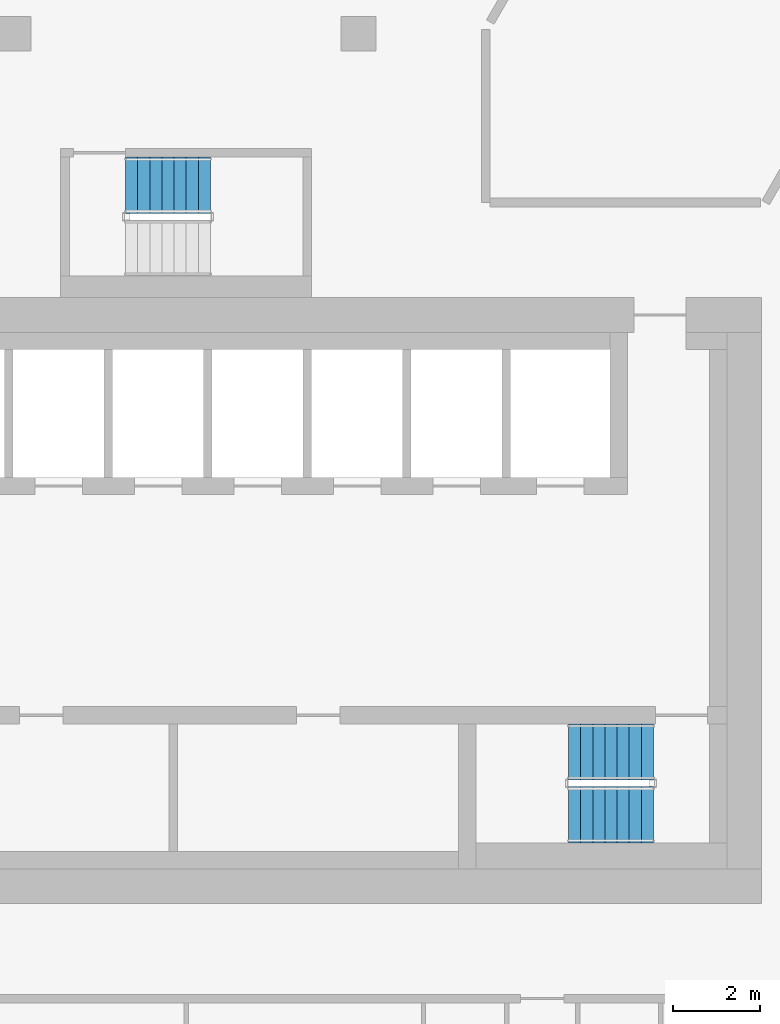
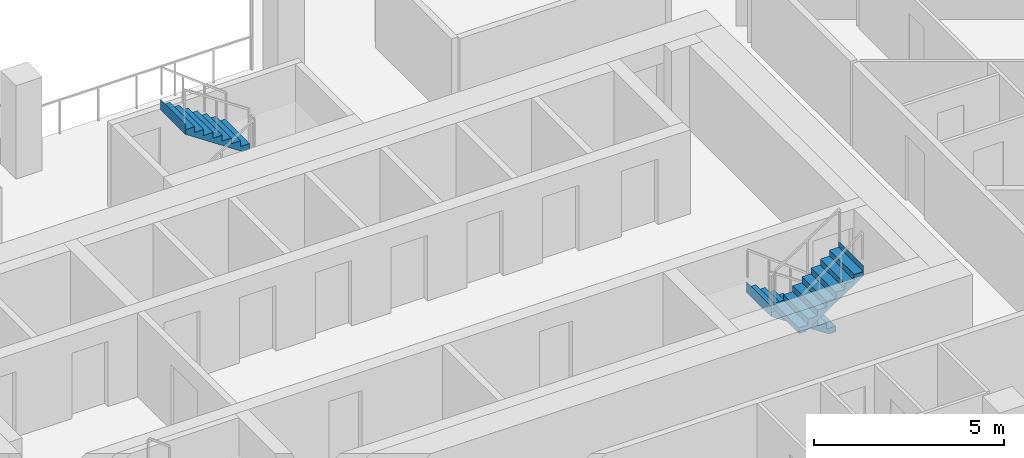
# One storey, part 13 of 17: 3 stair flights, 2 elements without a shape of their own.
"""IFC4 building model written with IfcOpenShell, lengths in metres."""

from ifc_helpers import new_model, si_unit, direction, frame, origin, place, context, subcontext, project, spatial, triangles, material, type_object, element, aggregate, save


model = new_model("IFC4")

# Units and contexts
model_context = context("Model", 3, precision=1e-05, world=origin(), true_north=direction((0.0, 1.0)))
body_context = subcontext(model_context, "Body", "Model", "MODEL_VIEW")
ifc_project = project(units=[si_unit("LENGTHUNIT", "METRE"), si_unit("AREAUNIT", "SQUARE_METRE"), si_unit("VOLUMEUNIT", "CUBIC_METRE"), si_unit("PLANEANGLEUNIT", "RADIAN"), si_unit("MASSUNIT", "GRAM", prefix="KILO")], contexts=[model_context])

# Site, building, storey
site_placement = place(None, origin())
site = spatial("IfcSite", under=ifc_project, at=site_placement, CompositionType="ELEMENT")
building_placement = place(site_placement, origin())
building = spatial("IfcBuilding", under=site, at=building_placement, Name="Beryl Residences", CompositionType="ELEMENT")
storey_placement = place(building_placement, frame((0.0, 0.0, 144.60009765625)))
storey = spatial("IfcBuildingStorey", under=building, at=storey_placement, Name="L44", CompositionType="ELEMENT", Elevation=144.60009765625)

# Stair, stair flights
ifc_material_1 = material(Name="Concrete C40/50", Category="concrete")
stair_type = type_object("IfcStairType", Name="ST1 protected exit stair, half-turn, 1300 mm flights", PredefinedType="HALF_TURN_STAIR", material=ifc_material_1)
stair_1_placement = place(storey_placement, origin())
stair_1 = element("IfcStair", 1, at=stair_1_placement, inside=storey, type_object=stair_type, Name="L44 PROTECTED EXIT STAIR ST-3", PredefinedType="HALF_TURN_STAIR")
ifc_material_2 = material(Name="Concrete C40/50", Category="concrete")
stair_flight_type = type_object("IfcStairFlightType", Name="SF1 stair flight 1300 mm", PredefinedType="STRAIGHT", material=ifc_material_2)
stair_flight_1_placement = place(storey_placement, frame((10.800048828125, -15.5, 0.0), z_axis=(0.0, 0.0, 1.0), x_axis=(-1.0, 0.0, 0.0)))
stair_flight_1 = element("IfcStairFlight", 2, at=stair_flight_1_placement, type_object=stair_flight_type, Name="ST-3 flight 1", NumberOfRisers=8, NumberOfTreads=7, PredefinedType="STRAIGHT", RiserHeight=0.1875, TreadLength=0.28, context=body_context, shape_type="Tessellation", body=[
    triangles([(0.0, -0.64990234375, 0.0), (0.0, -0.324951171875, 0.0), (0.0, 0.0, 0.0), (0.0, 0.324951171875, 0.0), (0.0, 0.64990234375, 0.0), (0.0, -0.64990234375, 0.1875), (0.0, -0.324951171875, 0.1875), (0.0, 0.0, 0.1875), (0.0, 0.324951171875, 0.1875), (0.0, 0.64990234375, 0.1875), (0.280029296875, -0.64990234375, 0.1875), (0.280029296875, -0.324951171875, 0.1875), (0.280029296875, 0.0, 0.1875), (0.280029296875, 0.324951171875, 0.1875), (0.280029296875, 0.64990234375, 0.1875), (0.280029296875, -0.64990234375, 0.375), (0.280029296875, -0.324951171875, 0.375), (0.280029296875, 0.0, 0.375), (0.280029296875, 0.324951171875, 0.375), (0.280029296875, 0.64990234375, 0.375), (0.56005859375, -0.64990234375, 0.375), (0.56005859375, -0.324951171875, 0.375), (0.56005859375, 0.0, 0.375), (0.56005859375, 0.324951171875, 0.375), (0.56005859375, 0.64990234375, 0.375), (0.56005859375, -0.64990234375, 0.5625), (0.56005859375, -0.324951171875, 0.5625), (0.56005859375, 0.0, 0.5625), (0.56005859375, 0.324951171875, 0.5625), (0.56005859375, 0.64990234375, 0.5625), (0.840087890625, -0.64990234375, 0.5625), (0.840087890625, -0.324951171875, 0.5625), (0.840087890625, 0.0, 0.5625), (0.840087890625, 0.324951171875, 0.5625), (0.840087890625, 0.64990234375, 0.5625), (0.840087890625, -0.64990234375, 0.75), (0.840087890625, -0.324951171875, 0.75), (0.840087890625, 0.0, 0.75), (0.840087890625, 0.324951171875, 0.75), (0.840087890625, 0.64990234375, 0.75), (1.1201171875, -0.64990234375, 0.75), (1.1201171875, -0.324951171875, 0.75), (1.1201171875, 0.0, 0.75), (1.1201171875, 0.324951171875, 0.75), (1.1201171875, 0.64990234375, 0.75), (1.1201171875, -0.64990234375, 0.9375), (1.1201171875, -0.324951171875, 0.9375), (1.1201171875, 0.0, 0.9375), (1.1201171875, 0.324951171875, 0.9375), (1.1201171875, 0.64990234375, 0.9375), (1.39990234375, -0.64990234375, 0.9375), (1.39990234375, -0.324951171875, 0.9375), (1.39990234375, 0.0, 0.9375), (1.39990234375, 0.324951171875, 0.9375), (1.39990234375, 0.64990234375, 0.9375), (1.39990234375, -0.64990234375, 1.125), (1.39990234375, -0.324951171875, 1.125), (1.39990234375, 0.0, 1.125), (1.39990234375, 0.324951171875, 1.125), (1.39990234375, 0.64990234375, 1.125), (1.679931640625, -0.64990234375, 1.125), (1.679931640625, -0.324951171875, 1.125), (1.679931640625, 0.0, 1.125), (1.679931640625, 0.324951171875, 1.125), (1.679931640625, 0.64990234375, 1.125), (1.679931640625, -0.64990234375, 1.3125), (1.679931640625, -0.324951171875, 1.3125), (1.679931640625, 0.0, 1.3125), (1.679931640625, 0.324951171875, 1.3125), (1.679931640625, 0.64990234375, 1.3125), (1.9599609375, -0.64990234375, 1.3125), (1.9599609375, -0.324951171875, 1.3125), (1.9599609375, 0.0, 1.3125), (1.9599609375, 0.324951171875, 1.3125), (1.9599609375, 0.64990234375, 1.3125), (1.9599609375, -0.64990234375, 1.5), (1.9599609375, -0.324951171875, 1.5), (1.9599609375, 0.0, 1.5), (1.9599609375, 0.324951171875, 1.5), (1.9599609375, 0.64990234375, 1.5), (1.9609375, -0.64990234375, 1.5), (1.9609375, -0.324951171875, 1.5), (1.9609375, 0.0, 1.5), (1.9609375, 0.324951171875, 1.5), (1.9609375, 0.64990234375, 1.5), (1.9609375, -0.64990234375, 1.16796875), (1.9609375, -0.324951171875, 1.16796875), (1.9609375, 0.0, 1.16796875), (1.9609375, 0.324951171875, 1.16796875), (1.9609375, 0.64990234375, 1.16796875), (0.216796875, -0.64990234375, 0.0), (0.216796875, -0.324951171875, 0.0), (0.216796875, 0.0, 0.0), (0.216796875, 0.324951171875, 0.0), (0.216796875, 0.64990234375, 0.0)], [[1, 6, 7], [1, 7, 2], [2, 7, 8], [2, 8, 3], [3, 8, 9], [3, 9, 4], [4, 9, 10], [4, 10, 5], [6, 11, 12], [6, 12, 7], [7, 12, 13], [7, 13, 8], [8, 13, 14], [8, 14, 9], [9, 14, 15], [9, 15, 10], [11, 16, 17], [11, 17, 12], [12, 17, 18], [12, 18, 13], [13, 18, 19], [13, 19, 14], [14, 19, 20], [14, 20, 15], [16, 21, 22], [16, 22, 17], [17, 22, 23], [17, 23, 18], [18, 23, 24], [18, 24, 19], [19, 24, 25], [19, 25, 20], [21, 26, 27], [21, 27, 22], [22, 27, 28], [22, 28, 23], [23, 28, 29], [23, 29, 24], [24, 29, 30], [24, 30, 25], [26, 31, 32], [26, 32, 27], [27, 32, 33], [27, 33, 28], [28, 33, 34], [28, 34, 29], [29, 34, 35], [29, 35, 30], [31, 36, 37], [31, 37, 32], [32, 37, 38], [32, 38, 33], [33, 38, 39], [33, 39, 34], [34, 39, 40], [34, 40, 35], [36, 41, 42], [36, 42, 37], [37, 42, 43], [37, 43, 38], [38, 43, 44], [38, 44, 39], [39, 44, 45], [39, 45, 40], [41, 46, 47], [41, 47, 42], [42, 47, 48], [42, 48, 43], [43, 48, 49], [43, 49, 44], [44, 49, 50], [44, 50, 45], [46, 51, 52], [46, 52, 47], [47, 52, 53], [47, 53, 48], [48, 53, 54], [48, 54, 49], [49, 54, 55], [49, 55, 50], [51, 56, 57], [51, 57, 52], [52, 57, 58], [52, 58, 53], [53, 58, 59], [53, 59, 54], [54, 59, 60], [54, 60, 55], [56, 61, 62], [56, 62, 57], [57, 62, 63], [57, 63, 58], [58, 63, 64], [58, 64, 59], [59, 64, 65], [59, 65, 60], [61, 66, 67], [61, 67, 62], [62, 67, 68], [62, 68, 63], [63, 68, 69], [63, 69, 64], [64, 69, 70], [64, 70, 65], [66, 71, 72], [66, 72, 67], [67, 72, 73], [67, 73, 68], [68, 73, 74], [68, 74, 69], [69, 74, 75], [69, 75, 70], [71, 76, 77], [71, 77, 72], [72, 77, 78], [72, 78, 73], [73, 78, 79], [73, 79, 74], [74, 79, 80], [74, 80, 75], [76, 81, 82], [76, 82, 77], [77, 82, 83], [77, 83, 78], [78, 83, 84], [78, 84, 79], [79, 84, 85], [79, 85, 80], [81, 86, 87], [81, 87, 82], [82, 87, 88], [82, 88, 83], [83, 88, 89], [83, 89, 84], [84, 89, 90], [84, 90, 85], [86, 91, 92], [86, 92, 87], [87, 92, 93], [87, 93, 88], [88, 93, 94], [88, 94, 89], [89, 94, 95], [89, 95, 90], [91, 1, 2], [91, 2, 92], [92, 2, 3], [92, 3, 93], [93, 3, 4], [93, 4, 94], [94, 4, 5], [94, 5, 95], [1, 91, 86], [5, 90, 95], [86, 81, 76], [90, 80, 85], [86, 76, 71], [90, 75, 80], [86, 71, 66], [90, 70, 75], [86, 66, 61], [90, 65, 70], [61, 56, 51], [65, 55, 60], [86, 61, 51], [90, 55, 65], [51, 46, 41], [55, 45, 50], [86, 51, 41], [90, 45, 55], [41, 36, 31], [45, 35, 40], [86, 41, 31], [90, 35, 45], [31, 26, 21], [35, 25, 30], [86, 31, 21], [90, 25, 35], [21, 16, 11], [25, 15, 20], [86, 21, 11], [90, 15, 25], [1, 86, 11], [5, 15, 90], [11, 6, 1], [15, 5, 10]], closed=True),
])
stair_flight_2_placement = place(storey_placement, frame((8.840087890625, -16.949951171875, 1.5), z_axis=(0.0, 0.0, 1.0), x_axis=(1.0, 0.0, 0.0)))
stair_flight_2 = element("IfcStairFlight", 3, at=stair_flight_2_placement, type_object=stair_flight_type, Name="ST-3 flight 2", NumberOfRisers=8, NumberOfTreads=7, PredefinedType="STRAIGHT", RiserHeight=0.1875, TreadLength=0.28, context=body_context, shape_type="Tessellation", body=[
    triangles([(0.0, -0.64990234375, 0.0), (0.0, -0.324951171875, 0.0), (0.0, 0.0, 0.0), (0.0, 0.324951171875, 0.0), (0.0, 0.64990234375, 0.0), (0.0, -0.64990234375, 0.1875), (0.0, -0.324951171875, 0.1875), (0.0, 0.0, 0.1875), (0.0, 0.324951171875, 0.1875), (0.0, 0.64990234375, 0.1875), (0.280029296875, -0.64990234375, 0.1875), (0.280029296875, -0.324951171875, 0.1875), (0.280029296875, 0.0, 0.1875), (0.280029296875, 0.324951171875, 0.1875), (0.280029296875, 0.64990234375, 0.1875), (0.280029296875, -0.64990234375, 0.375), (0.280029296875, -0.324951171875, 0.375), (0.280029296875, 0.0, 0.375), (0.280029296875, 0.324951171875, 0.375), (0.280029296875, 0.64990234375, 0.375), (0.56005859375, -0.64990234375, 0.375), (0.56005859375, -0.324951171875, 0.375), (0.56005859375, 0.0, 0.375), (0.56005859375, 0.324951171875, 0.375), (0.56005859375, 0.64990234375, 0.375), (0.56005859375, -0.64990234375, 0.5625), (0.56005859375, -0.324951171875, 0.5625), (0.56005859375, 0.0, 0.5625), (0.56005859375, 0.324951171875, 0.5625), (0.56005859375, 0.64990234375, 0.5625), (0.840087890625, -0.64990234375, 0.5625), (0.840087890625, -0.324951171875, 0.5625), (0.840087890625, 0.0, 0.5625), (0.840087890625, 0.324951171875, 0.5625), (0.840087890625, 0.64990234375, 0.5625), (0.840087890625, -0.64990234375, 0.75), (0.840087890625, -0.324951171875, 0.75), (0.840087890625, 0.0, 0.75), (0.840087890625, 0.324951171875, 0.75), (0.840087890625, 0.64990234375, 0.75), (1.1201171875, -0.64990234375, 0.75), (1.1201171875, -0.324951171875, 0.75), (1.1201171875, 0.0, 0.75), (1.1201171875, 0.324951171875, 0.75), (1.1201171875, 0.64990234375, 0.75), (1.1201171875, -0.64990234375, 0.9375), (1.1201171875, -0.324951171875, 0.9375), (1.1201171875, 0.0, 0.9375), (1.1201171875, 0.324951171875, 0.9375), (1.1201171875, 0.64990234375, 0.9375), (1.39990234375, -0.64990234375, 0.9375), (1.39990234375, -0.324951171875, 0.9375), (1.39990234375, 0.0, 0.9375), (1.39990234375, 0.324951171875, 0.9375), (1.39990234375, 0.64990234375, 0.9375), (1.39990234375, -0.64990234375, 1.125), (1.39990234375, -0.324951171875, 1.125), (1.39990234375, 0.0, 1.125), (1.39990234375, 0.324951171875, 1.125), (1.39990234375, 0.64990234375, 1.125), (1.679931640625, -0.64990234375, 1.125), (1.679931640625, -0.324951171875, 1.125), (1.679931640625, 0.0, 1.125), (1.679931640625, 0.324951171875, 1.125), (1.679931640625, 0.64990234375, 1.125), (1.679931640625, -0.64990234375, 1.3125), (1.679931640625, -0.324951171875, 1.3125), (1.679931640625, 0.0, 1.3125), (1.679931640625, 0.324951171875, 1.3125), (1.679931640625, 0.64990234375, 1.3125), (1.9599609375, -0.64990234375, 1.3125), (1.9599609375, -0.324951171875, 1.3125), (1.9599609375, 0.0, 1.3125), (1.9599609375, 0.324951171875, 1.3125), (1.9599609375, 0.64990234375, 1.3125), (1.9599609375, -0.64990234375, 1.5), (1.9599609375, -0.324951171875, 1.5), (1.9599609375, 0.0, 1.5), (1.9599609375, 0.324951171875, 1.5), (1.9599609375, 0.64990234375, 1.5), (1.9609375, -0.64990234375, 1.5), (1.9609375, -0.324951171875, 1.5), (1.9609375, 0.0, 1.5), (1.9609375, 0.324951171875, 1.5), (1.9609375, 0.64990234375, 1.5), (1.9609375, -0.64990234375, 1.16796875), (1.9609375, -0.324951171875, 1.16796875), (1.9609375, 0.0, 1.16796875), (1.9609375, 0.324951171875, 1.16796875), (1.9609375, 0.64990234375, 1.16796875), (0.216796875, -0.64990234375, 0.0), (0.216796875, -0.324951171875, 0.0), (0.216796875, 0.0, 0.0), (0.216796875, 0.324951171875, 0.0), (0.216796875, 0.64990234375, 0.0)], [[1, 6, 7], [1, 7, 2], [2, 7, 8], [2, 8, 3], [3, 8, 9], [3, 9, 4], [4, 9, 10], [4, 10, 5], [6, 11, 12], [6, 12, 7], [7, 12, 13], [7, 13, 8], [8, 13, 14], [8, 14, 9], [9, 14, 15], [9, 15, 10], [11, 16, 17], [11, 17, 12], [12, 17, 18], [12, 18, 13], [13, 18, 19], [13, 19, 14], [14, 19, 20], [14, 20, 15], [16, 21, 22], [16, 22, 17], [17, 22, 23], [17, 23, 18], [18, 23, 24], [18, 24, 19], [19, 24, 25], [19, 25, 20], [21, 26, 27], [21, 27, 22], [22, 27, 28], [22, 28, 23], [23, 28, 29], [23, 29, 24], [24, 29, 30], [24, 30, 25], [26, 31, 32], [26, 32, 27], [27, 32, 33], [27, 33, 28], [28, 33, 34], [28, 34, 29], [29, 34, 35], [29, 35, 30], [31, 36, 37], [31, 37, 32], [32, 37, 38], [32, 38, 33], [33, 38, 39], [33, 39, 34], [34, 39, 40], [34, 40, 35], [36, 41, 42], [36, 42, 37], [37, 42, 43], [37, 43, 38], [38, 43, 44], [38, 44, 39], [39, 44, 45], [39, 45, 40], [41, 46, 47], [41, 47, 42], [42, 47, 48], [42, 48, 43], [43, 48, 49], [43, 49, 44], [44, 49, 50], [44, 50, 45], [46, 51, 52], [46, 52, 47], [47, 52, 53], [47, 53, 48], [48, 53, 54], [48, 54, 49], [49, 54, 55], [49, 55, 50], [51, 56, 57], [51, 57, 52], [52, 57, 58], [52, 58, 53], [53, 58, 59], [53, 59, 54], [54, 59, 60], [54, 60, 55], [56, 61, 62], [56, 62, 57], [57, 62, 63], [57, 63, 58], [58, 63, 64], [58, 64, 59], [59, 64, 65], [59, 65, 60], [61, 66, 67], [61, 67, 62], [62, 67, 68], [62, 68, 63], [63, 68, 69], [63, 69, 64], [64, 69, 70], [64, 70, 65], [66, 71, 72], [66, 72, 67], [67, 72, 73], [67, 73, 68], [68, 73, 74], [68, 74, 69], [69, 74, 75], [69, 75, 70], [71, 76, 77], [71, 77, 72], [72, 77, 78], [72, 78, 73], [73, 78, 79], [73, 79, 74], [74, 79, 80], [74, 80, 75], [76, 81, 82], [76, 82, 77], [77, 82, 83], [77, 83, 78], [78, 83, 84], [78, 84, 79], [79, 84, 85], [79, 85, 80], [81, 86, 87], [81, 87, 82], [82, 87, 88], [82, 88, 83], [83, 88, 89], [83, 89, 84], [84, 89, 90], [84, 90, 85], [86, 91, 92], [86, 92, 87], [87, 92, 93], [87, 93, 88], [88, 93, 94], [88, 94, 89], [89, 94, 95], [89, 95, 90], [91, 1, 2], [91, 2, 92], [92, 2, 3], [92, 3, 93], [93, 3, 4], [93, 4, 94], [94, 4, 5], [94, 5, 95], [1, 91, 86], [5, 90, 95], [86, 81, 76], [90, 80, 85], [86, 76, 71], [90, 75, 80], [86, 71, 66], [90, 70, 75], [86, 66, 61], [90, 65, 70], [61, 56, 51], [65, 55, 60], [86, 61, 51], [90, 55, 65], [51, 46, 41], [55, 45, 50], [86, 51, 41], [90, 45, 55], [41, 36, 31], [45, 35, 40], [86, 41, 31], [90, 35, 45], [31, 26, 21], [35, 25, 30], [86, 31, 21], [90, 25, 35], [21, 16, 11], [25, 15, 20], [86, 21, 11], [90, 15, 25], [1, 86, 11], [5, 15, 90], [11, 6, 1], [15, 5, 10]], closed=True),
])
aggregate(stair_1, [stair_flight_1, stair_flight_2])

# Stair, stair flight
stair_2_placement = place(storey_placement, origin())
stair_2 = element("IfcStair", 4, at=stair_2_placement, inside=storey, type_object=stair_type, Name="L44 PROTECTED EXIT STAIR ST-4", PredefinedType="HALF_TURN_STAIR")
stair_flight_3_placement = place(storey_placement, frame((0.56005859375, -2.39990234375, 1.5), z_axis=(0.0, 0.0, 1.0), x_axis=(-1.0, 0.0, 0.0)))
stair_flight_3 = element("IfcStairFlight", 5, at=stair_flight_3_placement, type_object=stair_flight_type, Name="ST-4 flight 2", NumberOfRisers=8, NumberOfTreads=7, PredefinedType="STRAIGHT", RiserHeight=0.1875, TreadLength=0.28, context=body_context, shape_type="Tessellation", body=[
    triangles([(0.0, -0.64990234375, 0.0), (0.0, -0.324951171875, 0.0), (0.0, 0.0, 0.0), (0.0, 0.324951171875, 0.0), (0.0, 0.64990234375, 0.0), (0.0, -0.64990234375, 0.1875), (0.0, -0.324951171875, 0.1875), (0.0, 0.0, 0.1875), (0.0, 0.324951171875, 0.1875), (0.0, 0.64990234375, 0.1875), (0.280029296875, -0.64990234375, 0.1875), (0.280029296875, -0.324951171875, 0.1875), (0.280029296875, 0.0, 0.1875), (0.280029296875, 0.324951171875, 0.1875), (0.280029296875, 0.64990234375, 0.1875), (0.280029296875, -0.64990234375, 0.375), (0.280029296875, -0.324951171875, 0.375), (0.280029296875, 0.0, 0.375), (0.280029296875, 0.324951171875, 0.375), (0.280029296875, 0.64990234375, 0.375), (0.56005859375, -0.64990234375, 0.375), (0.56005859375, -0.324951171875, 0.375), (0.56005859375, 0.0, 0.375), (0.56005859375, 0.324951171875, 0.375), (0.56005859375, 0.64990234375, 0.375), (0.56005859375, -0.64990234375, 0.5625), (0.56005859375, -0.324951171875, 0.5625), (0.56005859375, 0.0, 0.5625), (0.56005859375, 0.324951171875, 0.5625), (0.56005859375, 0.64990234375, 0.5625), (0.840087890625, -0.64990234375, 0.5625), (0.840087890625, -0.324951171875, 0.5625), (0.840087890625, 0.0, 0.5625), (0.840087890625, 0.324951171875, 0.5625), (0.840087890625, 0.64990234375, 0.5625), (0.840087890625, -0.64990234375, 0.75), (0.840087890625, -0.324951171875, 0.75), (0.840087890625, 0.0, 0.75), (0.840087890625, 0.324951171875, 0.75), (0.840087890625, 0.64990234375, 0.75), (1.1201171875, -0.64990234375, 0.75), (1.1201171875, -0.324951171875, 0.75), (1.1201171875, 0.0, 0.75), (1.1201171875, 0.324951171875, 0.75), (1.1201171875, 0.64990234375, 0.75), (1.1201171875, -0.64990234375, 0.9375), (1.1201171875, -0.324951171875, 0.9375), (1.1201171875, 0.0, 0.9375), (1.1201171875, 0.324951171875, 0.9375), (1.1201171875, 0.64990234375, 0.9375), (1.39990234375, -0.64990234375, 0.9375), (1.39990234375, -0.324951171875, 0.9375), (1.39990234375, 0.0, 0.9375), (1.39990234375, 0.324951171875, 0.9375), (1.39990234375, 0.64990234375, 0.9375), (1.39990234375, -0.64990234375, 1.125), (1.39990234375, -0.324951171875, 1.125), (1.39990234375, 0.0, 1.125), (1.39990234375, 0.324951171875, 1.125), (1.39990234375, 0.64990234375, 1.125), (1.679931640625, -0.64990234375, 1.125), (1.679931640625, -0.324951171875, 1.125), (1.679931640625, 0.0, 1.125), (1.679931640625, 0.324951171875, 1.125), (1.679931640625, 0.64990234375, 1.125), (1.679931640625, -0.64990234375, 1.3125), (1.679931640625, -0.324951171875, 1.3125), (1.679931640625, 0.0, 1.3125), (1.679931640625, 0.324951171875, 1.3125), (1.679931640625, 0.64990234375, 1.3125), (1.9599609375, -0.64990234375, 1.3125), (1.9599609375, -0.324951171875, 1.3125), (1.9599609375, 0.0, 1.3125), (1.9599609375, 0.324951171875, 1.3125), (1.9599609375, 0.64990234375, 1.3125), (1.9599609375, -0.64990234375, 1.5), (1.9599609375, -0.324951171875, 1.5), (1.9599609375, 0.0, 1.5), (1.9599609375, 0.324951171875, 1.5), (1.9599609375, 0.64990234375, 1.5), (1.9609375, -0.64990234375, 1.5), (1.9609375, -0.324951171875, 1.5), (1.9609375, 0.0, 1.5), (1.9609375, 0.324951171875, 1.5), (1.9609375, 0.64990234375, 1.5), (1.9609375, -0.64990234375, 1.16796875), (1.9609375, -0.324951171875, 1.16796875), (1.9609375, 0.0, 1.16796875), (1.9609375, 0.324951171875, 1.16796875), (1.9609375, 0.64990234375, 1.16796875), (0.216796875, -0.64990234375, 0.0), (0.216796875, -0.324951171875, 0.0), (0.216796875, 0.0, 0.0), (0.216796875, 0.324951171875, 0.0), (0.216796875, 0.64990234375, 0.0)], [[1, 6, 7], [1, 7, 2], [2, 7, 8], [2, 8, 3], [3, 8, 9], [3, 9, 4], [4, 9, 10], [4, 10, 5], [6, 11, 12], [6, 12, 7], [7, 12, 13], [7, 13, 8], [8, 13, 14], [8, 14, 9], [9, 14, 15], [9, 15, 10], [11, 16, 17], [11, 17, 12], [12, 17, 18], [12, 18, 13], [13, 18, 19], [13, 19, 14], [14, 19, 20], [14, 20, 15], [16, 21, 22], [16, 22, 17], [17, 22, 23], [17, 23, 18], [18, 23, 24], [18, 24, 19], [19, 24, 25], [19, 25, 20], [21, 26, 27], [21, 27, 22], [22, 27, 28], [22, 28, 23], [23, 28, 29], [23, 29, 24], [24, 29, 30], [24, 30, 25], [26, 31, 32], [26, 32, 27], [27, 32, 33], [27, 33, 28], [28, 33, 34], [28, 34, 29], [29, 34, 35], [29, 35, 30], [31, 36, 37], [31, 37, 32], [32, 37, 38], [32, 38, 33], [33, 38, 39], [33, 39, 34], [34, 39, 40], [34, 40, 35], [36, 41, 42], [36, 42, 37], [37, 42, 43], [37, 43, 38], [38, 43, 44], [38, 44, 39], [39, 44, 45], [39, 45, 40], [41, 46, 47], [41, 47, 42], [42, 47, 48], [42, 48, 43], [43, 48, 49], [43, 49, 44], [44, 49, 50], [44, 50, 45], [46, 51, 52], [46, 52, 47], [47, 52, 53], [47, 53, 48], [48, 53, 54], [48, 54, 49], [49, 54, 55], [49, 55, 50], [51, 56, 57], [51, 57, 52], [52, 57, 58], [52, 58, 53], [53, 58, 59], [53, 59, 54], [54, 59, 60], [54, 60, 55], [56, 61, 62], [56, 62, 57], [57, 62, 63], [57, 63, 58], [58, 63, 64], [58, 64, 59], [59, 64, 65], [59, 65, 60], [61, 66, 67], [61, 67, 62], [62, 67, 68], [62, 68, 63], [63, 68, 69], [63, 69, 64], [64, 69, 70], [64, 70, 65], [66, 71, 72], [66, 72, 67], [67, 72, 73], [67, 73, 68], [68, 73, 74], [68, 74, 69], [69, 74, 75], [69, 75, 70], [71, 76, 77], [71, 77, 72], [72, 77, 78], [72, 78, 73], [73, 78, 79], [73, 79, 74], [74, 79, 80], [74, 80, 75], [76, 81, 82], [76, 82, 77], [77, 82, 83], [77, 83, 78], [78, 83, 84], [78, 84, 79], [79, 84, 85], [79, 85, 80], [81, 86, 87], [81, 87, 82], [82, 87, 88], [82, 88, 83], [83, 88, 89], [83, 89, 84], [84, 89, 90], [84, 90, 85], [86, 91, 92], [86, 92, 87], [87, 92, 93], [87, 93, 88], [88, 93, 94], [88, 94, 89], [89, 94, 95], [89, 95, 90], [91, 1, 2], [91, 2, 92], [92, 2, 3], [92, 3, 93], [93, 3, 4], [93, 4, 94], [94, 4, 5], [94, 5, 95], [1, 91, 86], [5, 90, 95], [86, 81, 76], [90, 80, 85], [86, 76, 71], [90, 75, 80], [86, 71, 66], [90, 70, 75], [86, 66, 61], [90, 65, 70], [61, 56, 51], [65, 55, 60], [86, 61, 51], [90, 55, 65], [51, 46, 41], [55, 45, 50], [86, 51, 41], [90, 45, 55], [41, 36, 31], [45, 35, 40], [86, 41, 31], [90, 35, 45], [31, 26, 21], [35, 25, 30], [86, 31, 21], [90, 25, 35], [21, 16, 11], [25, 15, 20], [86, 21, 11], [90, 15, 25], [1, 86, 11], [5, 15, 90], [11, 6, 1], [15, 5, 10]], closed=True),
])
aggregate(stair_2, [stair_flight_3])

save(model, "model.ifc")
